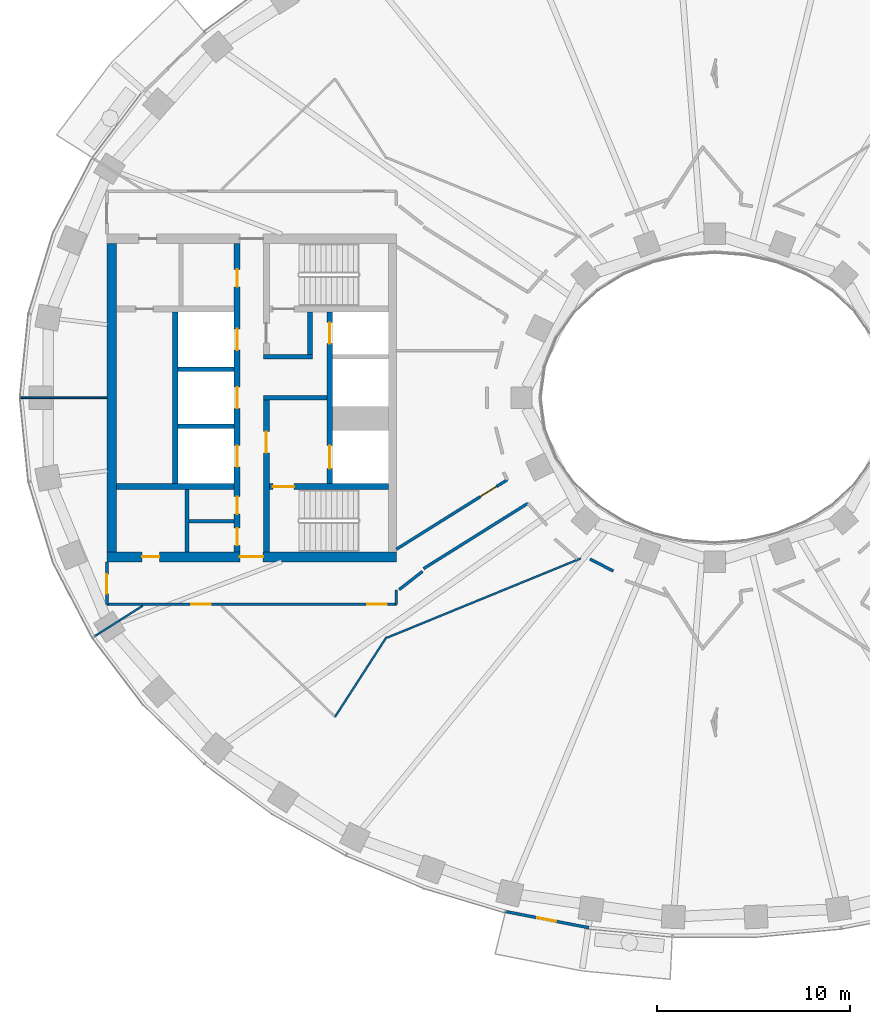
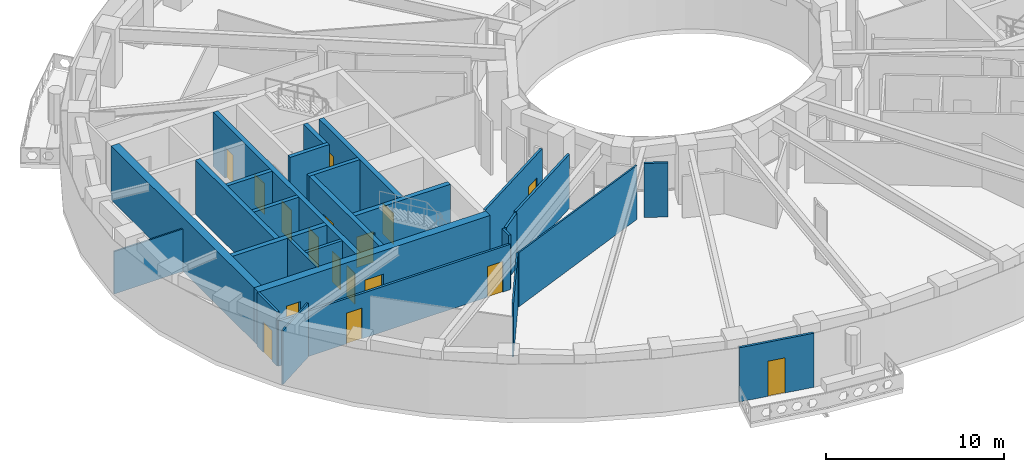
# One storey, part 3 of 16: 27 walls, 17 doors, 17 openings.
"""IFC4 building model written with IfcOpenShell, lengths in metres."""

from ifc_helpers import new_model, si_unit, direction, frame, frame_2d, origin, place, context, subcontext, project, spatial, rectangle, extrude, material, layer, layer_set, type_object, element, fill, save


model = new_model("IFC4")

# Units and contexts
model_context = context("Model", 3, precision=1e-05, world=origin(), true_north=direction((0.0, 1.0)))
body_context = subcontext(model_context, "Body", "Model", "MODEL_VIEW")
ifc_project = project(units=[si_unit("LENGTHUNIT", "METRE"), si_unit("AREAUNIT", "SQUARE_METRE"), si_unit("VOLUMEUNIT", "CUBIC_METRE"), si_unit("PLANEANGLEUNIT", "RADIAN"), si_unit("MASSUNIT", "GRAM", prefix="KILO")], contexts=[model_context])

# Site, building, storey
site_placement = place(None, origin())
site = spatial("IfcSite", under=ifc_project, at=site_placement, CompositionType="ELEMENT")
building_placement = place(site_placement, origin())
building = spatial("IfcBuilding", under=site, at=building_placement, Name="Noorbagh Ring Tower", CompositionType="ELEMENT")
storey_placement = place(building_placement, frame((0.0, 0.0, 166.0)))
storey = spatial("IfcBuildingStorey", under=building, at=storey_placement, Name="L38", CompositionType="ELEMENT", Elevation=166.0)

# Walls
ifc_material_1 = material(Name="Gypsum board on steel studs", Category="steel")
ifc_layer_1 = layer(ifc_material_1, 0.199951171875)
ifc_layer_set_1 = layer_set([ifc_layer_1], Name="Gypsum board on steel studs")
wall_type_1 = type_object("IfcWallType", Name="CORE-PARTITION-200", PredefinedType="PARTITIONING", material=ifc_layer_set_1)
wall_1_placement = place(storey_placement, frame((-27.35009765625, -8.0, 0.0), z_axis=(0.0, 0.0, 1.0), x_axis=(0.0, 1.0, 0.0)))
element("IfcWall", 1, at=wall_1_placement, inside=storey, type_object=wall_type_1, Name="Core partition W", PredefinedType="PARTITIONING", context=body_context, shape_type="SweptSolid", body=[
    extrude(rectangle(XDim=3.25, YDim=0.199951171875, at=frame_2d((1.625, 0.0))), origin(), (0.0, 0.0, 1.0), 3.699951171875),
])
wall_2_placement = place(storey_placement, frame((-24.89990234375, -6.39990234375, 0.0), z_axis=(0.0, 0.0, 1.0), x_axis=(-1.0, 0.0, 0.0)))
element("IfcWall", 2, at=wall_2_placement, inside=storey, type_object=wall_type_1, Name="Core partition W", PredefinedType="PARTITIONING", context=body_context, shape_type="SweptSolid", body=[
    extrude(rectangle(XDim=2.35009765625, YDim=0.199951171875, at=frame_2d((1.175048828125, 0.0))), origin(), (0.0, 0.0, 1.0), 3.699951171875),
])
ifc_material_2 = material(Name="Concrete C60/75", Category="concrete")
ifc_layer_2 = layer(ifc_material_2, 0.25)
ifc_layer_set_2 = layer_set([ifc_layer_2], Name="Concrete C60/75")
wall_type_2 = type_object("IfcWallType", Name="CORE-WALL-250-C60-75-EI120", PredefinedType="SHEAR", material=ifc_layer_set_2)
for number, where, z_axis, x_axis, name in (
    (3, (-24.89990234375, -1.47509765625, 0.0), (0.0, 0.0, 1.0), (-1.0, 0.0, 0.0), "Core wall W"),
    (4, (-24.89990234375, 1.47509765625, 0.0), (0.0, 0.0, 1.0), (-1.0, 0.0, 0.0), "Core wall W"),
):
    element("IfcWall", number, at=place(storey_placement, frame(where, z_axis=z_axis, x_axis=x_axis)), inside=storey, type_object=wall_type_2, Name=name, PredefinedType="SHEAR", context=body_context, shape_type="SweptSolid", body=[
        extrude(rectangle(XDim=2.900146484375, YDim=0.25, at=frame_2d((1.4501953125, 0.0))), origin(), (0.0, 0.0, 1.0), 3.699951171875),
    ])
ifc_material_3 = material(Name="Concrete C60/75", Category="concrete")
ifc_layer_3 = layer(ifc_material_3, 0.25)
ifc_layer_set_3 = layer_set([ifc_layer_3], Name="Concrete C60/75")
wall_type_3 = type_object("IfcWallType", Name="CORE-WALL-250-C60-75-EI240", PredefinedType="SHEAR", material=ifc_layer_set_3)
wall_3_placement = place(storey_placement, frame((-20.10009765625, 0.0, 0.0), z_axis=(0.0, 0.0, 1.0), x_axis=(-1.0, 0.0, 0.0)))
element("IfcWall", 5, at=wall_3_placement, inside=storey, type_object=wall_type_3, Name="Core wall W", PredefinedType="SHEAR", context=body_context, shape_type="SweptSolid", body=[
    extrude(rectangle(XDim=3.27978515625, YDim=0.25, at=frame_2d((1.639892578125, 0.0))), origin(), (0.0, 0.0, 1.0), 3.699951171875),
])
wall_4_placement = place(storey_placement, frame((-20.85009765625, 2.125, 0.0), z_axis=(0.0, 0.0, 1.0), x_axis=(-1.0, 0.0, 0.0)))
element("IfcWall", 6, at=wall_4_placement, inside=storey, type_object=wall_type_3, Name="Core wall W", PredefinedType="SHEAR", context=body_context, shape_type="SweptSolid", body=[
    extrude(rectangle(XDim=2.52978515625, YDim=0.25, at=frame_2d((1.264892578125, 0.0))), origin(), (0.0, 0.0, 1.0), 3.699951171875),
])
wall_5_placement = place(storey_placement, frame((-20.97509765625, 2.25, 0.0), z_axis=(0.0, 0.0, 1.0), x_axis=(0.0, 1.0, 0.0)))
element("IfcWall", 7, at=wall_5_placement, inside=storey, type_object=wall_type_3, Name="Core wall W", PredefinedType="SHEAR", context=body_context, shape_type="SweptSolid", body=[
    extrude(rectangle(XDim=2.199951171875, YDim=0.25, at=frame_2d((1.10009765625, 0.0))), origin(), (0.0, 0.0, 1.0), 3.699951171875),
])
ifc_material_4 = material(Name="Concrete C60/75", Category="concrete")
ifc_layer_4 = layer(ifc_material_4, 0.300048828125)
ifc_layer_set_4 = layer_set([ifc_layer_4], Name="Concrete C60/75")
wall_type_4 = type_object("IfcWallType", Name="CORE-WALL-300-C60-75-EI120", PredefinedType="SHEAR", material=ifc_layer_set_4)
wall_6_placement = place(storey_placement, frame((-27.949951171875, -4.449951171875, 0.0), z_axis=(0.0, 0.0, 1.0), x_axis=(0.0, 1.0, 0.0)))
element("IfcWall", 8, at=wall_6_placement, inside=storey, type_object=wall_type_4, Name="Core wall W", PredefinedType="SHEAR", context=body_context, shape_type="SweptSolid", body=[
    extrude(rectangle(XDim=8.89990234375, YDim=0.300048828125, at=frame_2d((4.449951171875, 0.0))), origin(), (0.0, 0.0, 1.0), 3.699951171875),
])

# Wall, openings, doors
wall_7_placement = place(storey_placement, frame((-19.949951171875, -4.449951171875, 0.0), z_axis=(0.0, 0.0, 1.0), x_axis=(0.0, 1.0, 0.0)))
wall_7 = element("IfcWall", 9, at=wall_7_placement, inside=storey, type_object=wall_type_4, Name="Core wall W", PredefinedType="SHEAR", context=body_context, shape_type="SweptSolid", body=[
    extrude(rectangle(XDim=8.89990234375, YDim=0.300048828125, at=frame_2d((4.449951171875, 0.0))), origin(), (0.0, 0.0, 1.0), 3.699951171875),
])
opening_1_placement = place(wall_7_placement, frame((0.77490234375, 0.0, 0.0)))
opening_1 = element("IfcOpeningElement", 10, at=opening_1_placement, cuts=wall_7, Name="Opening L38-CW01", PredefinedType="OPENING", context=body_context, shape_type="SweptSolid", body=[
    extrude(rectangle(XDim=1.199951171875, YDim=2.10009765625, at=frame_2d((0.60009765625, 1.050048828125))), frame((0.0, 0.16015625, 0.0), z_axis=(0.0, -1.0, 0.0), x_axis=(1.0, 0.0, 0.0)), (0.0, 0.0, 1.0), 0.320068359375),
])
opening_2_placement = place(wall_7_placement, frame((7.25, 0.0, 0.0)))
opening_2 = element("IfcOpeningElement", 11, at=opening_2_placement, cuts=wall_7, Name="Opening L38-CW02", PredefinedType="OPENING", context=body_context, shape_type="SweptSolid", body=[
    extrude(rectangle(XDim=1.10009765625, YDim=2.10009765625, at=frame_2d((0.550048828125, 1.050048828125))), frame((0.0, 0.16015625, 0.0), z_axis=(0.0, -1.0, 0.0), x_axis=(1.0, 0.0, 0.0)), (0.0, 0.0, 1.0), 0.320068359375),
])
ifc_material_5 = material(Name="Steel door leaf", Category="steel")
door_type_1 = type_object("IfcDoorType", Name="CORE-DOOR-LD", OperationType="DOUBLE_DOOR_SLIDING", PredefinedType="DOOR", material=ifc_material_5)
door_1_placement = place(opening_2_placement, origin())
door_1 = element("IfcDoor", 12, at=door_1_placement, inside=storey, type_object=door_type_1, Name="Landing door HR1 L38-CW02", OperationType="DOUBLE_DOOR_SLIDING", OverallHeight=2.10009765625, OverallWidth=1.10009765625, PredefinedType="DOOR", context=body_context, shape_type="SweptSolid", body=[
    extrude(rectangle(XDim=1.10009765625, YDim=2.10009765625, at=frame_2d((0.550048828125, 1.050048828125))), frame((0.0, 0.02490234375, 0.0), z_axis=(0.0, -1.0, 0.0), x_axis=(1.0, 0.0, 0.0)), (0.0, 0.0, 1.0), 0.050048828125),
])
fill(opening_2, door_1)
ifc_material_6 = material(Name="Steel door leaf", Category="steel")
door_type_2 = type_object("IfcDoorType", Name="CORE-DOOR-LDW", OperationType="DOUBLE_DOOR_SLIDING", PredefinedType="DOOR", material=ifc_material_6)
door_2_placement = place(opening_1_placement, origin())
door_2 = element("IfcDoor", 13, at=door_2_placement, inside=storey, type_object=door_type_2, Name="Landing door FF1 L38-CW01", OperationType="DOUBLE_DOOR_SLIDING", OverallHeight=2.10009765625, OverallWidth=1.199951171875, PredefinedType="DOOR", context=body_context, shape_type="SweptSolid", body=[
    extrude(rectangle(XDim=1.199951171875, YDim=2.10009765625, at=frame_2d((0.60009765625, 1.050048828125))), frame((0.0, 0.02490234375, 0.0), z_axis=(0.0, -1.0, 0.0), x_axis=(1.0, 0.0, 0.0)), (0.0, 0.0, 1.0), 0.050048828125),
])
fill(opening_1, door_2)

wall_8_placement = place(storey_placement, frame((-24.75, -8.0, 0.0), z_axis=(0.0, 0.0, 1.0), x_axis=(0.0, 1.0, 0.0)))
wall_8 = element("IfcWall", 14, at=wall_8_placement, inside=storey, type_object=wall_type_4, Name="Core wall W", PredefinedType="SHEAR", context=body_context, shape_type="SweptSolid", body=[
    extrude(rectangle(XDim=16.0, YDim=0.300048828125, at=frame_2d((8.0, 0.0))), origin(), (0.0, 0.0, 1.0), 3.699951171875),
])
opening_3_placement = place(wall_8_placement, frame((4.425048828125, 0.0, 0.0)))
opening_3 = element("IfcOpeningElement", 15, at=opening_3_placement, cuts=wall_8, Name="Opening L38-CW03", PredefinedType="OPENING", context=body_context, shape_type="SweptSolid", body=[
    extrude(rectangle(XDim=1.10009765625, YDim=2.10009765625, at=frame_2d((0.550048828125, 1.050048828125))), frame((0.0, 0.16015625, 0.0), z_axis=(0.0, -1.0, 0.0), x_axis=(1.0, 0.0, 0.0)), (0.0, 0.0, 1.0), 0.320068359375),
])
opening_4_placement = place(wall_8_placement, frame((7.449951171875, 0.0, 0.0)))
opening_4 = element("IfcOpeningElement", 16, at=opening_4_placement, cuts=wall_8, Name="Opening L38-CW04", PredefinedType="OPENING", context=body_context, shape_type="SweptSolid", body=[
    extrude(rectangle(XDim=1.10009765625, YDim=2.10009765625, at=frame_2d((0.550048828125, 1.050048828125))), frame((0.0, 0.16015625, 0.0), z_axis=(0.0, -1.0, 0.0), x_axis=(1.0, 0.0, 0.0)), (0.0, 0.0, 1.0), 0.320068359375),
])
opening_5_placement = place(wall_8_placement, frame((10.47509765625, 0.0, 0.0)))
opening_5 = element("IfcOpeningElement", 17, at=opening_5_placement, cuts=wall_8, Name="Opening L38-CW05", PredefinedType="OPENING", context=body_context, shape_type="SweptSolid", body=[
    extrude(rectangle(XDim=1.10009765625, YDim=2.10009765625, at=frame_2d((0.550048828125, 1.050048828125))), frame((0.0, 0.16015625, 0.0), z_axis=(0.0, -1.0, 0.0), x_axis=(1.0, 0.0, 0.0)), (0.0, 0.0, 1.0), 0.320068359375),
])
opening_6_placement = place(wall_8_placement, frame((13.75, 0.0, 0.0)))
opening_6 = element("IfcOpeningElement", 18, at=opening_6_placement, cuts=wall_8, Name="Opening L38-CW12", PredefinedType="OPENING", context=body_context, shape_type="SweptSolid", body=[
    extrude(rectangle(XDim=0.89990234375, YDim=2.10009765625, at=frame_2d((0.449951171875, 1.050048828125))), frame((0.0, 0.16015625, 0.0), z_axis=(0.0, -1.0, 0.0), x_axis=(1.0, 0.0, 0.0)), (0.0, 0.0, 1.0), 0.320068359375),
])
opening_7_placement = place(wall_8_placement, frame((1.97509765625, 0.0, 0.0)))
opening_7 = element("IfcOpeningElement", 19, at=opening_7_placement, cuts=wall_8, Name="Opening L38-CW14", PredefinedType="OPENING", context=body_context, shape_type="SweptSolid", body=[
    extrude(rectangle(XDim=0.89990234375, YDim=2.10009765625, at=frame_2d((0.449951171875, 1.050048828125))), frame((0.0, 0.16015625, 0.0), z_axis=(0.0, -1.0, 0.0), x_axis=(1.0, 0.0, 0.0)), (0.0, 0.0, 1.0), 0.320068359375),
])
opening_8_placement = place(wall_8_placement, frame((0.35009765625, 0.0, 0.0)))
opening_8 = element("IfcOpeningElement", 20, at=opening_8_placement, cuts=wall_8, Name="Opening L38-CW15", PredefinedType="OPENING", context=body_context, shape_type="SweptSolid", body=[
    extrude(rectangle(XDim=0.89990234375, YDim=2.10009765625, at=frame_2d((0.449951171875, 1.050048828125))), frame((0.0, 0.16015625, 0.0), z_axis=(0.0, -1.0, 0.0), x_axis=(1.0, 0.0, 0.0)), (0.0, 0.0, 1.0), 0.320068359375),
])
ifc_material_7 = material(Name="Steel door leaf", Category="steel")
door_type_3 = type_object("IfcDoorType", Name="CORE-DOOR-DROOM", OperationType="SINGLE_SWING_LEFT", PredefinedType="DOOR", material=ifc_material_7)
door_3_placement = place(opening_6_placement, origin())
door_3 = element("IfcDoor", 21, at=door_3_placement, inside=storey, type_object=door_type_3, Name="Core room door L38-CW12", OperationType="SINGLE_SWING_RIGHT", OverallHeight=2.10009765625, OverallWidth=0.89990234375, PredefinedType="DOOR", context=body_context, shape_type="SweptSolid", body=[
    extrude(rectangle(XDim=0.89990234375, YDim=2.10009765625, at=frame_2d((0.449951171875, 1.050048828125))), frame((0.0, 0.02490234375, 0.0), z_axis=(0.0, -1.0, 0.0), x_axis=(1.0, 0.0, 0.0)), (0.0, 0.0, 1.0), 0.050048828125),
])
fill(opening_6, door_3)
door_4_placement = place(opening_7_placement, origin())
door_4 = element("IfcDoor", 22, at=door_4_placement, inside=storey, type_object=door_type_3, Name="Core room door L38-CW14", OperationType="SINGLE_SWING_RIGHT", OverallHeight=2.10009765625, OverallWidth=0.89990234375, PredefinedType="DOOR", context=body_context, shape_type="SweptSolid", body=[
    extrude(rectangle(XDim=0.89990234375, YDim=2.10009765625, at=frame_2d((0.449951171875, 1.050048828125))), frame((0.0, 0.02490234375, 0.0), z_axis=(0.0, -1.0, 0.0), x_axis=(1.0, 0.0, 0.0)), (0.0, 0.0, 1.0), 0.050048828125),
])
fill(opening_7, door_4)
door_5_placement = place(opening_8_placement, origin())
door_5 = element("IfcDoor", 23, at=door_5_placement, inside=storey, type_object=door_type_3, Name="Core room door L38-CW15", OperationType="SINGLE_SWING_LEFT", OverallHeight=2.10009765625, OverallWidth=0.89990234375, PredefinedType="DOOR", context=body_context, shape_type="SweptSolid", body=[
    extrude(rectangle(XDim=0.89990234375, YDim=2.10009765625, at=frame_2d((0.449951171875, 1.050048828125))), frame((0.0, 0.02490234375, 0.0), z_axis=(0.0, -1.0, 0.0), x_axis=(1.0, 0.0, 0.0)), (0.0, 0.0, 1.0), 0.050048828125),
])
fill(opening_8, door_5)
door_6_placement = place(opening_3_placement, origin())
door_6 = element("IfcDoor", 24, at=door_6_placement, inside=storey, type_object=door_type_1, Name="Landing door HR2 L38-CW03", OperationType="DOUBLE_DOOR_SLIDING", OverallHeight=2.10009765625, OverallWidth=1.10009765625, PredefinedType="DOOR", context=body_context, shape_type="SweptSolid", body=[
    extrude(rectangle(XDim=1.10009765625, YDim=2.10009765625, at=frame_2d((0.550048828125, 1.050048828125))), frame((0.0, 0.02490234375, 0.0), z_axis=(0.0, -1.0, 0.0), x_axis=(1.0, 0.0, 0.0)), (0.0, 0.0, 1.0), 0.050048828125),
])
fill(opening_3, door_6)
door_7_placement = place(opening_4_placement, origin())
door_7 = element("IfcDoor", 25, at=door_7_placement, inside=storey, type_object=door_type_1, Name="Landing door HR3 L38-CW04", OperationType="DOUBLE_DOOR_SLIDING", OverallHeight=2.10009765625, OverallWidth=1.10009765625, PredefinedType="DOOR", context=body_context, shape_type="SweptSolid", body=[
    extrude(rectangle(XDim=1.10009765625, YDim=2.10009765625, at=frame_2d((0.550048828125, 1.050048828125))), frame((0.0, 0.02490234375, 0.0), z_axis=(0.0, -1.0, 0.0), x_axis=(1.0, 0.0, 0.0)), (0.0, 0.0, 1.0), 0.050048828125),
])
fill(opening_4, door_7)
door_8_placement = place(opening_5_placement, origin())
door_8 = element("IfcDoor", 26, at=door_8_placement, inside=storey, type_object=door_type_1, Name="Landing door HR4 L38-CW05", OperationType="DOUBLE_DOOR_SLIDING", OverallHeight=2.10009765625, OverallWidth=1.10009765625, PredefinedType="DOOR", context=body_context, shape_type="SweptSolid", body=[
    extrude(rectangle(XDim=1.10009765625, YDim=2.10009765625, at=frame_2d((0.550048828125, 1.050048828125))), frame((0.0, 0.02490234375, 0.0), z_axis=(0.0, -1.0, 0.0), x_axis=(1.0, 0.0, 0.0)), (0.0, 0.0, 1.0), 0.050048828125),
])
fill(opening_5, door_8)

# Wall
ifc_material_8 = material(Name="Concrete C60/75", Category="concrete")
ifc_layer_5 = layer(ifc_material_8, 0.300048828125)
ifc_layer_set_5 = layer_set([ifc_layer_5], Name="Concrete C60/75")
wall_type_5 = type_object("IfcWallType", Name="CORE-WALL-300-C60-75-EI240", PredefinedType="SHEAR", material=ifc_layer_set_5)
wall_9_placement = place(storey_placement, frame((-24.89990234375, -4.60009765625, 0.0), z_axis=(0.0, 0.0, 1.0), x_axis=(-1.0, 0.0, 0.0)))
element("IfcWall", 27, at=wall_9_placement, inside=storey, type_object=wall_type_5, Name="Core wall W", PredefinedType="SHEAR", context=body_context, shape_type="SweptSolid", body=[
    extrude(rectangle(XDim=6.10009765625, YDim=0.300048828125, at=frame_2d((3.050048828125, 0.0))), origin(), (0.0, 0.0, 1.0), 3.699951171875),
])

# Wall, opening, door
wall_10_placement = place(storey_placement, frame((-23.22998046875, -8.0, 0.0), z_axis=(0.0, 0.0, 1.0), x_axis=(0.0, 1.0, 0.0)))
wall_10 = element("IfcWall", 28, at=wall_10_placement, inside=storey, type_object=wall_type_5, Name="Core wall W", PredefinedType="SHEAR", context=body_context, shape_type="SweptSolid", body=[
    extrude(rectangle(XDim=7.875, YDim=0.300048828125, at=frame_2d((3.9375, 0.0))), origin(), (0.0, 0.0, 1.0), 3.699951171875),
])
opening_9_placement = place(wall_10_placement, frame((5.14990234375, 0.0, 0.0)))
opening_9 = element("IfcOpeningElement", 29, at=opening_9_placement, cuts=wall_10, Name="Opening L38-CW08", PredefinedType="OPENING", context=body_context, shape_type="SweptSolid", body=[
    extrude(rectangle(XDim=1.10009765625, YDim=2.10009765625, at=frame_2d((0.550048828125, 1.050048828125))), frame((0.0, 0.16015625, 0.0), z_axis=(0.0, -1.0, 0.0), x_axis=(1.0, 0.0, 0.0)), (0.0, 0.0, 1.0), 0.320068359375),
])
ifc_material_9 = material(Name="Steel door leaf", Category="steel")
door_type_4 = type_object("IfcDoorType", Name="CORE-DOOR-DFF", OperationType="SINGLE_SWING_LEFT", PredefinedType="DOOR", material=ifc_material_9)
door_9_placement = place(opening_9_placement, origin())
door_9 = element("IfcDoor", 30, at=door_9_placement, inside=storey, type_object=door_type_4, Name="Firefighting lobby door L38-CW08", OperationType="SINGLE_SWING_LEFT", OverallHeight=2.10009765625, OverallWidth=1.10009765625, PredefinedType="DOOR", context=body_context, shape_type="SweptSolid", body=[
    extrude(rectangle(XDim=1.10009765625, YDim=2.10009765625, at=frame_2d((0.550048828125, 1.050048828125))), frame((0.0, 0.02490234375, 0.0), z_axis=(0.0, -1.0, 0.0), x_axis=(1.0, 0.0, 0.0)), (0.0, 0.0, 1.0), 0.050048828125),
])
fill(opening_9, door_9)

wall_11_placement = place(storey_placement, frame((-16.89990234375, -4.60009765625, 0.0), z_axis=(0.0, 0.0, 1.0), x_axis=(-1.0, 0.0, 0.0)))
wall_11 = element("IfcWall", 31, at=wall_11_placement, inside=storey, type_object=wall_type_5, Name="Core wall W", PredefinedType="SHEAR", context=body_context, shape_type="SweptSolid", body=[
    extrude(rectangle(XDim=6.18017578125, YDim=0.300048828125, at=frame_2d((3.090087890625, 0.0))), origin(), (0.0, 0.0, 1.0), 3.699951171875),
])
opening_10_placement = place(wall_11_placement, frame((4.89990234375, 0.0, 0.0)))
opening_10 = element("IfcOpeningElement", 32, at=opening_10_placement, cuts=wall_11, Name="Opening L38-CW07", PredefinedType="OPENING", context=body_context, shape_type="SweptSolid", body=[
    extrude(rectangle(XDim=1.10009765625, YDim=2.10009765625, at=frame_2d((0.550048828125, 1.050048828125))), frame((0.0, 0.16015625, 0.0), z_axis=(0.0, -1.0, 0.0), x_axis=(1.0, 0.0, 0.0)), (0.0, 0.0, 1.0), 0.320068359375),
])
ifc_material_10 = material(Name="Steel door leaf", Category="steel")
door_type_5 = type_object("IfcDoorType", Name="CORE-DOOR-DSTAIR", OperationType="SINGLE_SWING_LEFT", PredefinedType="DOOR", material=ifc_material_10)
door_10_placement = place(opening_10_placement, origin())
door_10 = element("IfcDoor", 33, at=door_10_placement, inside=storey, type_object=door_type_5, Name="Stair door ST2 L38-CW07", OperationType="SINGLE_SWING_LEFT", OverallHeight=2.10009765625, OverallWidth=1.10009765625, PredefinedType="DOOR", context=body_context, shape_type="SweptSolid", body=[
    extrude(rectangle(XDim=1.10009765625, YDim=2.10009765625, at=frame_2d((0.550048828125, 1.050048828125))), frame((0.0, 0.02490234375, 0.0), z_axis=(0.0, -1.0, 0.0), x_axis=(1.0, 0.0, 0.0)), (0.0, 0.0, 1.0), 0.050048828125),
])
fill(opening_10, door_10)

# Wall, openings, doors
ifc_material_11 = material(Name="Concrete C60/75", Category="concrete")
ifc_layer_6 = layer(ifc_material_11, 0.5)
ifc_layer_set_6 = layer_set([ifc_layer_6], Name="Concrete C60/75")
wall_type_6 = type_object("IfcWallType", Name="CORE-WALL-500-C60-75-EI240", PredefinedType="SHEAR", material=ifc_layer_set_6)
wall_12_placement = place(storey_placement, frame((-16.5, -8.25, 0.0), z_axis=(0.0, 0.0, 1.0), x_axis=(-1.0, 0.0, 0.0)))
wall_12 = element("IfcWall", 34, at=wall_12_placement, inside=storey, type_object=wall_type_6, Name="Core wall W", PredefinedType="SHEAR", context=body_context, shape_type="SweptSolid", body=[
    extrude(rectangle(XDim=15.0, YDim=0.5, at=frame_2d((7.5, 0.0))), origin(), (0.0, 0.0, 1.0), 3.699951171875),
])
opening_11_placement = place(wall_12_placement, frame((6.89990234375, 0.0, 0.0)))
opening_11 = element("IfcOpeningElement", 35, at=opening_11_placement, cuts=wall_12, Name="Opening L38-CW11", PredefinedType="OPENING", context=body_context, shape_type="SweptSolid", body=[
    extrude(rectangle(XDim=1.199951171875, YDim=2.10009765625, at=frame_2d((0.60009765625, 1.050048828125))), frame((0.0, 0.260009765625, 0.0), z_axis=(0.0, -1.0, 0.0), x_axis=(1.0, 0.0, 0.0)), (0.0, 0.0, 1.0), 0.52001953125),
])
opening_12_placement = place(wall_12_placement, frame((12.27490234375, 0.0, 0.0)))
opening_12 = element("IfcOpeningElement", 36, at=opening_12_placement, cuts=wall_12, Name="Opening L38-CW16", PredefinedType="OPENING", context=body_context, shape_type="SweptSolid", body=[
    extrude(rectangle(XDim=0.89990234375, YDim=2.10009765625, at=frame_2d((0.449951171875, 1.050048828125))), frame((0.0, 0.260009765625, 0.0), z_axis=(0.0, -1.0, 0.0), x_axis=(1.0, 0.0, 0.0)), (0.0, 0.0, 1.0), 0.52001953125),
])
door_11_placement = place(opening_12_placement, origin())
door_11 = element("IfcDoor", 37, at=door_11_placement, inside=storey, type_object=door_type_3, Name="Core room door L38-CW16", OperationType="SINGLE_SWING_LEFT", OverallHeight=2.10009765625, OverallWidth=0.89990234375, PredefinedType="DOOR", context=body_context, shape_type="SweptSolid", body=[
    extrude(rectangle(XDim=0.89990234375, YDim=2.10009765625, at=frame_2d((0.449951171875, 1.050048828125))), frame((0.0, 0.02490234375, 0.0), z_axis=(0.0, -1.0, 0.0), x_axis=(1.0, 0.0, 0.0)), (0.0, 0.0, 1.0), 0.050048828125),
])
fill(opening_12, door_11)
ifc_material_12 = material(Name="Steel door leaf", Category="steel")
door_type_6 = type_object("IfcDoorType", Name="CORE-DOOR-PORT", OperationType="DOUBLE_DOOR_DOUBLE_SWING", PredefinedType="DOOR", material=ifc_material_12)
door_12_placement = place(opening_11_placement, origin())
door_12 = element("IfcDoor", 38, at=door_12_placement, inside=storey, type_object=door_type_6, Name="Core entrance door L38-CW11", OperationType="DOUBLE_DOOR_DOUBLE_SWING", OverallHeight=2.10009765625, OverallWidth=1.199951171875, PredefinedType="DOOR", context=body_context, shape_type="SweptSolid", body=[
    extrude(rectangle(XDim=1.199951171875, YDim=2.10009765625, at=frame_2d((0.60009765625, 1.050048828125))), frame((0.0, 0.02490234375, 0.0), z_axis=(0.0, -1.0, 0.0), x_axis=(1.0, 0.0, 0.0)), (0.0, 0.0, 1.0), 0.050048828125),
])
fill(opening_11, door_12)

# Wall
wall_13_placement = place(storey_placement, frame((-31.25, -8.0, 0.0), z_axis=(0.0, 0.0, 1.0), x_axis=(0.0, 1.0, 0.0)))
element("IfcWall", 39, at=wall_13_placement, inside=storey, type_object=wall_type_6, Name="Core wall W", PredefinedType="SHEAR", context=body_context, shape_type="SweptSolid", body=[
    extrude(rectangle(XDim=16.0, YDim=0.5, at=frame_2d((8.0, 0.0))), origin(), (0.0, 0.0, 1.0), 3.699951171875),
])

# Wall, opening, door
ifc_material_13 = material(Name="Gypsum board on steel studs", Category="steel")
ifc_layer_7 = layer(ifc_material_13, 0.14990234375)
ifc_layer_set_7 = layer_set([ifc_layer_7], Name="Gypsum board on steel studs")
wall_type_7 = type_object("IfcWallType", Name="CORRIDOR PARTITION 150 EI 30", PredefinedType="PARTITIONING", material=ifc_layer_set_7)
wall_14_placement = place(storey_placement, frame((-31.5, -10.699951171875, 0.0), z_axis=(0.0, 0.0, 1.0), x_axis=(0.0, 1.0, 0.0)))
wall_14 = element("IfcWall", 40, at=wall_14_placement, inside=storey, type_object=wall_type_7, Name="L38/wall/P04", PredefinedType="PARTITIONING", context=body_context, shape_type="SweptSolid", body=[
    extrude(rectangle(XDim=2.199951171875, YDim=0.14990234375, at=frame_2d((1.10009765625, 0.0))), origin(), (0.0, 0.0, 1.0), 3.699951171875),
])
opening_13_placement = place(wall_14_placement, frame((0.550048828125, 0.0, 0.0)))
opening_13 = element("IfcOpeningElement", 41, at=opening_13_placement, cuts=wall_14, Name="Opening D1", PredefinedType="OPENING", context=body_context, shape_type="SweptSolid", body=[
    extrude(rectangle(XDim=1.0, YDim=2.10009765625, at=frame_2d((0.5, 1.050048828125))), frame((0.0, 0.0849609375, 0.0), z_axis=(0.0, -1.0, 0.0), x_axis=(1.0, 0.0, 0.0)), (0.0, 0.0, 1.0), 0.169921875),
])
ifc_material_14 = material(Name="Timber, painted", Category="wood")
door_type_7 = type_object("IfcDoorType", Name="DOOR 1000 X 2100 FD30", OperationType="SINGLE_SWING_LEFT", PredefinedType="DOOR", material=ifc_material_14)
door_13_placement = place(opening_13_placement, origin())
door_13 = element("IfcDoor", 42, at=door_13_placement, inside=storey, type_object=door_type_7, Name="L38-D06", OperationType="SINGLE_SWING_RIGHT", OverallHeight=2.10009765625, OverallWidth=1.0, PredefinedType="DOOR", context=body_context, shape_type="SweptSolid", body=[
    extrude(rectangle(XDim=1.0, YDim=2.10009765625, at=frame_2d((0.5, 1.050048828125))), frame((0.0, 0.02490234375, 0.0), z_axis=(0.0, -1.0, 0.0), x_axis=(1.0, 0.0, 0.0)), (0.0, 0.0, 1.0), 0.050048828125),
])
fill(opening_13, door_13)

# Wall, openings, doors
wall_15_placement = place(storey_placement, frame((-31.5, -10.699951171875, 0.0), z_axis=(0.0, 0.0, 1.0), x_axis=(1.0, 0.0, 0.0)))
wall_15 = element("IfcWall", 43, at=wall_15_placement, inside=storey, type_object=wall_type_7, Name="L38/wall/P05", PredefinedType="PARTITIONING", context=body_context, shape_type="SweptSolid", body=[
    extrude(rectangle(XDim=15.0, YDim=0.14990234375, at=frame_2d((7.5, 0.0))), origin(), (0.0, 0.0, 1.0), 3.10009765625),
])
opening_14_placement = place(wall_15_placement, frame((4.37890625, 0.0, 0.0)))
opening_14 = element("IfcOpeningElement", 44, at=opening_14_placement, cuts=wall_15, Name="Opening D1", PredefinedType="OPENING", context=body_context, shape_type="SweptSolid", body=[
    extrude(rectangle(XDim=1.0, YDim=2.10009765625, at=frame_2d((0.5, 1.050048828125))), frame((0.0, 0.0849609375, 0.0), z_axis=(0.0, -1.0, 0.0), x_axis=(1.0, 0.0, 0.0)), (0.0, 0.0, 1.0), 0.169921875),
])
opening_15_placement = place(wall_15_placement, frame((13.50390625, 0.0, 0.0)))
opening_15 = element("IfcOpeningElement", 45, at=opening_15_placement, cuts=wall_15, Name="Opening D1", PredefinedType="OPENING", context=body_context, shape_type="SweptSolid", body=[
    extrude(rectangle(XDim=1.0, YDim=2.10009765625, at=frame_2d((0.5, 1.050048828125))), frame((0.0, 0.0849609375, 0.0), z_axis=(0.0, -1.0, 0.0), x_axis=(1.0, 0.0, 0.0)), (0.0, 0.0, 1.0), 0.169921875),
])
door_14_placement = place(opening_14_placement, origin())
door_14 = element("IfcDoor", 46, at=door_14_placement, inside=storey, type_object=door_type_7, Name="L38-D08", OperationType="SINGLE_SWING_RIGHT", OverallHeight=2.10009765625, OverallWidth=1.0, PredefinedType="DOOR", context=body_context, shape_type="SweptSolid", body=[
    extrude(rectangle(XDim=1.0, YDim=2.10009765625, at=frame_2d((0.5, 1.050048828125))), frame((0.0, 0.02490234375, 0.0), z_axis=(0.0, -1.0, 0.0), x_axis=(1.0, 0.0, 0.0)), (0.0, 0.0, 1.0), 0.050048828125),
])
fill(opening_14, door_14)
door_15_placement = place(opening_15_placement, origin())
door_15 = element("IfcDoor", 47, at=door_15_placement, inside=storey, type_object=door_type_7, Name="L38-D10", OperationType="SINGLE_SWING_RIGHT", OverallHeight=2.10009765625, OverallWidth=1.0, PredefinedType="DOOR", context=body_context, shape_type="SweptSolid", body=[
    extrude(rectangle(XDim=1.0, YDim=2.10009765625, at=frame_2d((0.5, 1.050048828125))), frame((0.0, 0.02490234375, 0.0), z_axis=(0.0, -1.0, 0.0), x_axis=(1.0, 0.0, 0.0)), (0.0, 0.0, 1.0), 0.050048828125),
])
fill(opening_15, door_15)

# Wall
wall_16_placement = place(storey_placement, frame((-16.5, -10.699951171875, 0.0), z_axis=(0.0, 0.0, 1.0), x_axis=(0.0, 1.0, 0.0)))
element("IfcWall", 48, at=wall_16_placement, inside=storey, type_object=wall_type_7, Name="L38/wall/P14", PredefinedType="PARTITIONING", context=body_context, shape_type="SweptSolid", body=[
    extrude(rectangle(XDim=0.73583984375, YDim=0.14990234375, at=frame_2d((0.367919921875, 0.0))), origin(), (0.0, 0.0, 1.0), 3.699951171875),
])

# Wall, opening, door
wall_17_placement = place(storey_placement, frame((-16.5, -7.85107421875, 0.0), z_axis=(0.0, 0.0, 1.0), x_axis=(0.847690706888, 0.530490777917, 0.0)))
wall_17 = element("IfcWall", 49, at=wall_17_placement, inside=storey, type_object=wall_type_7, Name="L38/wall/P17", PredefinedType="PARTITIONING", context=body_context, shape_type="SweptSolid", body=[
    extrude(rectangle(XDim=6.78076171875, YDim=0.14990234375, at=frame_2d((3.390380859375, 0.0))), origin(), (0.0, 0.0, 1.0), 3.699951171875),
])
opening_16_placement = place(wall_17_placement, frame((5.130615234375, 0.0, 0.0)))
opening_16 = element("IfcOpeningElement", 50, at=opening_16_placement, cuts=wall_17, Name="Opening D1", PredefinedType="OPENING", context=body_context, shape_type="SweptSolid", body=[
    extrude(rectangle(XDim=1.0, YDim=2.10009765625, at=frame_2d((0.5, 1.050048828125))), frame((0.0, 0.0849609375, 0.0), z_axis=(0.0, -1.0, 0.0), x_axis=(1.0, 0.0, 0.0)), (0.0, 0.0, 1.0), 0.169921875),
])
door_16_placement = place(opening_16_placement, origin())
door_16 = element("IfcDoor", 51, at=door_16_placement, inside=storey, type_object=door_type_7, Name="L38-D17", OperationType="SINGLE_SWING_LEFT", OverallHeight=2.10009765625, OverallWidth=1.0, PredefinedType="DOOR", context=body_context, shape_type="SweptSolid", body=[
    extrude(rectangle(XDim=1.0, YDim=2.10009765625, at=frame_2d((0.5, 1.050048828125))), frame((0.0, 0.02490234375, 0.0), z_axis=(0.0, -1.0, 0.0), x_axis=(1.0, 0.0, 0.0)), (0.0, 0.0, 1.0), 0.050048828125),
])
fill(opening_16, door_16)

# Walls
wall_18_placement = place(storey_placement, frame((-15.089111328125, -8.85595703125, 0.0), z_axis=(0.0, 0.0, 1.0), x_axis=(0.847602682855, 0.530631408811, 0.0)))
element("IfcWall", 52, at=wall_18_placement, inside=storey, type_object=wall_type_7, Name="L38/wall/P19", PredefinedType="PARTITIONING", context=body_context, shape_type="SweptSolid", body=[
    extrude(rectangle(XDim=6.3828125, YDim=0.14990234375, at=frame_2d((3.19140625, 0.0))), origin(), (0.0, 0.0, 1.0), 3.699951171875),
])
wall_19_placement = place(storey_placement, frame((-6.466064453125, -8.35595703125, 0.0), z_axis=(0.0, 0.0, 1.0), x_axis=(0.889472002788, -0.456989667559, 0.0)))
element("IfcWall", 53, at=wall_19_placement, inside=storey, type_object=wall_type_7, Name="L38/wall/P30", PredefinedType="PARTITIONING", context=body_context, shape_type="SweptSolid", body=[
    extrude(rectangle(XDim=1.354736328125, YDim=0.14990234375, at=frame_2d((0.67724609375, 0.0))), origin(), (0.0, 0.0, 1.0), 3.699951171875),
])
wall_20_placement = place(storey_placement, frame((-15.138916015625, -8.9970703125, 0.0), z_axis=(0.0, 0.0, 1.0), x_axis=(-0.788950226826, -0.614457109643, 0.0)))
element("IfcWall", 54, at=wall_20_placement, inside=storey, type_object=wall_type_7, Name="L38/wall/P91", PredefinedType="PARTITIONING", context=body_context, shape_type="SweptSolid", body=[
    extrude(rectangle(XDim=1.53759765625, YDim=0.14990234375, at=frame_2d((0.768798828125, 0.0))), origin(), (0.0, 0.0, 1.0), 3.699951171875),
])

# Wall, opening, door
ifc_material_15 = material(Name="Insulated aluminium clad panel", Category="aluminium")
ifc_layer_8 = layer(ifc_material_15, 0.14990234375)
ifc_layer_set_8 = layer_set([ifc_layer_8], Name="Insulated aluminium clad panel")
wall_type_8 = type_object("IfcWallType", Name="ENV-WALL-DOOR", PredefinedType="STANDARD", material=ifc_layer_set_8)
wall_21_placement = place(storey_placement, frame((-10.87060546875, -26.616943359375, 0.0), z_axis=(0.0, 0.0, 1.0), x_axis=(0.981631174778, -0.190788460615, 0.0)))
wall_21 = element("IfcWall", 55, at=wall_21_placement, inside=storey, type_object=wall_type_8, Name="Balcony door wall chord 33", PredefinedType="STANDARD", context=body_context, shape_type="SweptSolid", body=[
    extrude(rectangle(XDim=4.42626953125, YDim=0.14990234375, at=frame_2d((2.213134765625, 0.0))), origin(), (0.0, 0.0, 1.0), 3.699951171875),
])
opening_17_placement = place(wall_21_placement, frame((1.713134765625, 0.0, 0.0)))
opening_17 = element("IfcOpeningElement", 56, at=opening_17_placement, cuts=wall_21, Name="Opening D-BL", PredefinedType="OPENING", context=body_context, shape_type="SweptSolid", body=[
    extrude(rectangle(XDim=1.0, YDim=2.39990234375, at=frame_2d((0.5, 1.199951171875))), frame((0.0, 0.0849609375, 0.0), z_axis=(0.0, -1.0, 0.0), x_axis=(1.0, 0.0, 0.0)), (0.0, 0.0, 1.0), 0.169921875),
])
ifc_material_16 = material(Name="Aluminium and glass", Category="aluminium")
door_type_8 = type_object("IfcDoorType", Name="ENV-DOOR-BALCONY", OperationType="SINGLE_SWING_LEFT", PredefinedType="DOOR", material=ifc_material_16)
door_17_placement = place(opening_17_placement, origin())
door_17 = element("IfcDoor", 57, at=door_17_placement, inside=storey, type_object=door_type_8, Name="Balcony door chord 33", OperationType="SINGLE_SWING_LEFT", OverallHeight=2.39990234375, OverallWidth=1.0, PredefinedType="DOOR", context=body_context, shape_type="SweptSolid", body=[
    extrude(rectangle(XDim=1.0, YDim=2.39990234375, at=frame_2d((0.5, 1.199951171875))), frame((0.0, 0.02490234375, 0.0), z_axis=(0.0, -1.0, 0.0), x_axis=(1.0, 0.0, 0.0)), (0.0, 0.0, 1.0), 0.050048828125),
])
fill(opening_17, door_17)

# Walls
ifc_material_17 = material(Name="Gypsum board on steel studs", Category="steel")
ifc_layer_9 = layer(ifc_material_17, 0.10009765625)
ifc_layer_set_9 = layer_set([ifc_layer_9], Name="Gypsum board on steel studs")
wall_type_9 = type_object("IfcWallType", Name="PARTITION 100 GYPSUM", PredefinedType="PARTITIONING", material=ifc_layer_set_9)
wall_22_placement = place(storey_placement, frame((-35.948974609375, 0.0, 0.0), z_axis=(0.0, 0.0, 1.0), x_axis=(1.0, 0.0, 0.0)))
element("IfcWall", 58, at=wall_22_placement, inside=storey, type_object=wall_type_9, Name="L38/wall/P01", PredefinedType="PARTITIONING", context=body_context, shape_type="SweptSolid", body=[
    extrude(rectangle(XDim=4.448974609375, YDim=0.10009765625, at=frame_2d((2.224609375, 0.0))), origin(), (0.0, 0.0, 1.0), 2.89990234375),
])
wall_23_placement = place(storey_placement, frame((-32.2119140625, -12.407958984375, 0.0), z_axis=(0.0, 0.0, 1.0), x_axis=(0.844810627195, 0.535065420467, 0.0)))
element("IfcWall", 59, at=wall_23_placement, inside=storey, type_object=wall_type_9, Name="L38/wall/P02", PredefinedType="PARTITIONING", context=body_context, shape_type="SweptSolid", body=[
    extrude(rectangle(XDim=3.0478515625, YDim=0.10009765625, at=frame_2d((1.52392578125, 0.0))), origin(), (0.0, 0.0, 1.0), 3.699951171875),
])
wall_24_placement = place(storey_placement, frame((-19.673095703125, -16.532958984375, 0.0), z_axis=(0.0, 0.0, 1.0), x_axis=(0.542297022656, 0.840186847801, 0.0)))
element("IfcWall", 60, at=wall_24_placement, inside=storey, type_object=wall_type_9, Name="L38/wall/P10", PredefinedType="PARTITIONING", context=body_context, shape_type="SweptSolid", body=[
    extrude(rectangle(XDim=4.9345703125, YDim=0.10009765625, at=frame_2d((2.46728515625, 0.0))), origin(), (0.0, 0.0, 1.0), 3.699951171875),
])
wall_25_placement = place(storey_placement, frame((-16.962890625, -12.427001953125, 0.0), z_axis=(0.0, 0.0, 1.0), x_axis=(0.925484473487, 0.378785545308, 0.0)))
element("IfcWall", 61, at=wall_25_placement, inside=storey, type_object=wall_type_9, Name="L38/wall/P12", PredefinedType="PARTITIONING", context=body_context, shape_type="SweptSolid", body=[
    extrude(rectangle(XDim=10.83203125, YDim=0.10009765625, at=frame_2d((5.416015625, 0.0))), origin(), (0.0, 0.0, 1.0), 3.699951171875),
])

save(model, "model.ifc")
